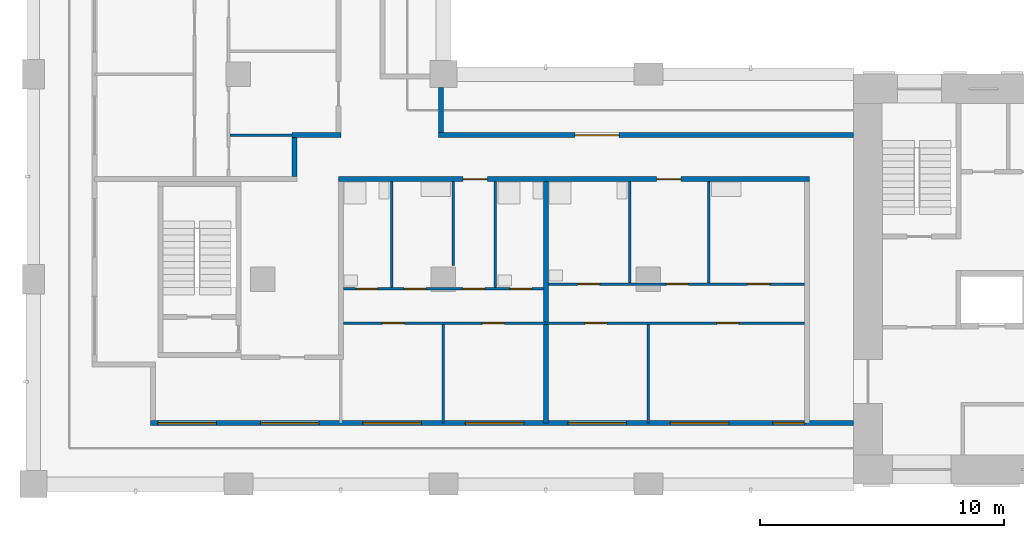
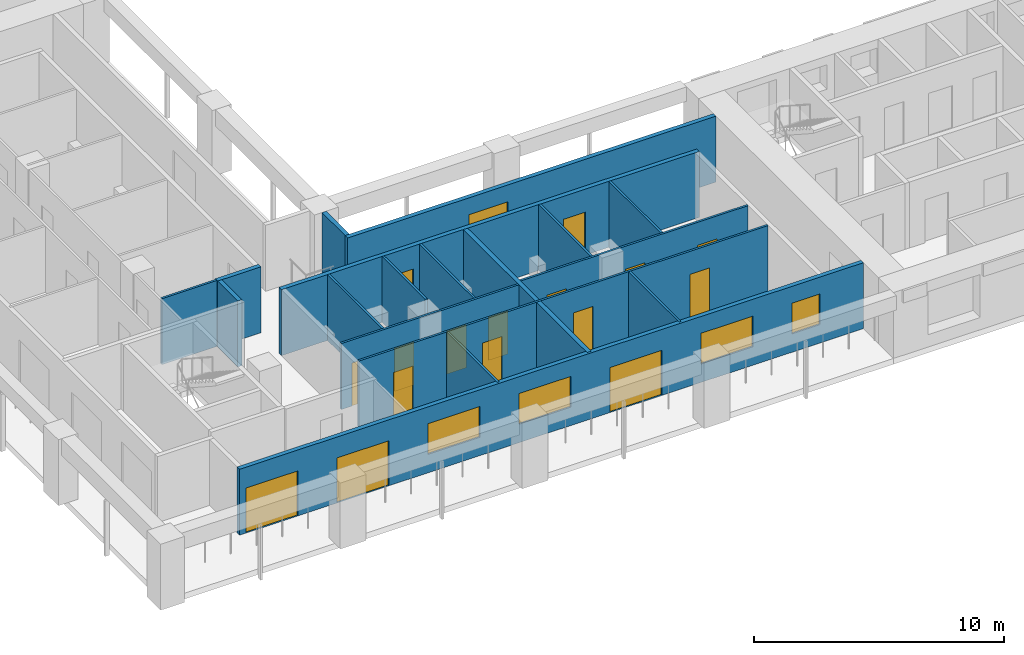
# One storey, part 2 of 10: 18 walls, 17 doors, 4 windows, 21 openings.
"""IFC4 building model written with IfcOpenShell, lengths in metres."""

from ifc_helpers import new_model, si_unit, direction, frame, frame_2d, origin, place, context, subcontext, project, spatial, rectangle, extrude, material, layer, layer_set, type_object, element, fill, save


model = new_model("IFC4")

# Units and contexts
model_context = context("Model", 3, precision=1e-05, world=origin(), true_north=direction((0.0, 1.0)))
body_context = subcontext(model_context, "Body", "Model", "MODEL_VIEW")
ifc_project = project(units=[si_unit("LENGTHUNIT", "METRE"), si_unit("AREAUNIT", "SQUARE_METRE"), si_unit("VOLUMEUNIT", "CUBIC_METRE"), si_unit("PLANEANGLEUNIT", "RADIAN"), si_unit("MASSUNIT", "GRAM", prefix="KILO")], contexts=[model_context])

# Site, building, storey
site_placement = place(None, origin())
site = spatial("IfcSite", under=ifc_project, at=site_placement, CompositionType="ELEMENT")
building_placement = place(site_placement, origin())
building = spatial("IfcBuilding", under=site, at=building_placement, Name="Vermilion Gate Residences", CompositionType="ELEMENT")
storey_placement = place(building_placement, frame((0.0, 0.0, 172.199951171875)))
storey = spatial("IfcBuildingStorey", under=building, at=storey_placement, Name="L44", CompositionType="ELEMENT", Elevation=172.199951171875)

# Wall, openings, doors, windows
ifc_material_1 = material(Name="Insulated steel stud wall with terracotta rainscreen", Category="masonry")
ifc_layer_1 = layer(ifc_material_1, 0.199951171875)
ifc_layer_set_1 = layer_set([ifc_layer_1], Name="EXTERNAL WALL 200 TERRACOTTA RAINSCREEN")
wall_type_1 = type_object("IfcWallType", Name="EXTERNAL WALL 200 TERRACOTTA RAINSCREEN", PredefinedType="SOLIDWALL", material=ifc_layer_set_1)
wall_1_placement = place(storey_placement, frame((13.199951171875, 10.89990234375, 0.0), z_axis=(0.0, 0.0, 1.0), x_axis=(1.0, 0.0, 0.0)))
wall_1 = element("IfcWall", 1, at=wall_1_placement, inside=storey, type_object=wall_type_1, Name="External wall", PredefinedType="SOLIDWALL", context=body_context, shape_type="SweptSolid", body=[
    extrude(rectangle(XDim=28.800048828125, YDim=0.199951171875, at=frame_2d((14.39990234375, 0.0))), origin(), (0.0, 0.0, 1.0), 3.219970703125),
])
opening_1_placement = place(wall_1_placement, frame((0.300048828125, 0.0, 0.0)))
opening_1 = element("IfcOpeningElement", 2, at=opening_1_placement, cuts=wall_1, Name="Opening DE44008", PredefinedType="OPENING", context=body_context, shape_type="SweptSolid", body=[
    extrude(rectangle(XDim=2.39990234375, YDim=2.199951171875, at=frame_2d((1.199951171875, 1.10009765625))), frame((0.0, 0.10986328125, 0.0), z_axis=(0.0, -1.0, 0.0), x_axis=(1.0, 0.0, 0.0)), (0.0, 0.0, 1.0), 0.219970703125),
])
opening_2_placement = place(wall_1_placement, frame((4.5, 0.0, 0.0)))
opening_2 = element("IfcOpeningElement", 3, at=opening_2_placement, cuts=wall_1, Name="Opening DE44009", PredefinedType="OPENING", context=body_context, shape_type="SweptSolid", body=[
    extrude(rectangle(XDim=2.39990234375, YDim=2.199951171875, at=frame_2d((1.199951171875, 1.10009765625))), frame((0.0, 0.10986328125, 0.0), z_axis=(0.0, -1.0, 0.0), x_axis=(1.0, 0.0, 0.0)), (0.0, 0.0, 1.0), 0.219970703125),
])
opening_3_placement = place(wall_1_placement, frame((8.699951171875, 0.0, 0.89990234375)))
opening_3 = element("IfcOpeningElement", 4, at=opening_3_placement, cuts=wall_1, Name="Opening WE44010", PredefinedType="OPENING", context=body_context, shape_type="SweptSolid", body=[
    extrude(rectangle(XDim=2.39990234375, YDim=1.5, at=frame_2d((1.199951171875, 0.75))), frame((0.0, 0.10986328125, 0.0), z_axis=(0.0, -1.0, 0.0), x_axis=(1.0, 0.0, 0.0)), (0.0, 0.0, 1.0), 0.219970703125),
])
opening_4_placement = place(wall_1_placement, frame((12.89990234375, 0.0, 0.89990234375)))
opening_4 = element("IfcOpeningElement", 5, at=opening_4_placement, cuts=wall_1, Name="Opening WE44011", PredefinedType="OPENING", context=body_context, shape_type="SweptSolid", body=[
    extrude(rectangle(XDim=2.39990234375, YDim=1.5, at=frame_2d((1.199951171875, 0.75))), frame((0.0, 0.10986328125, 0.0), z_axis=(0.0, -1.0, 0.0), x_axis=(1.0, 0.0, 0.0)), (0.0, 0.0, 1.0), 0.219970703125),
])
opening_5_placement = place(wall_1_placement, frame((17.10009765625, 0.0, 0.0)))
opening_5 = element("IfcOpeningElement", 6, at=opening_5_placement, cuts=wall_1, Name="Opening DE44012", PredefinedType="OPENING", context=body_context, shape_type="SweptSolid", body=[
    extrude(rectangle(XDim=2.39990234375, YDim=2.199951171875, at=frame_2d((1.199951171875, 1.10009765625))), frame((0.0, 0.10986328125, 0.0), z_axis=(0.0, -1.0, 0.0), x_axis=(1.0, 0.0, 0.0)), (0.0, 0.0, 1.0), 0.219970703125),
])
opening_6_placement = place(wall_1_placement, frame((21.300048828125, 0.0, 0.89990234375)))
opening_6 = element("IfcOpeningElement", 7, at=opening_6_placement, cuts=wall_1, Name="Opening WE44013", PredefinedType="OPENING", context=body_context, shape_type="SweptSolid", body=[
    extrude(rectangle(XDim=2.39990234375, YDim=1.5, at=frame_2d((1.199951171875, 0.75))), frame((0.0, 0.10986328125, 0.0), z_axis=(0.0, -1.0, 0.0), x_axis=(1.0, 0.0, 0.0)), (0.0, 0.0, 1.0), 0.219970703125),
])
opening_7_placement = place(wall_1_placement, frame((25.5, 0.0, 0.89990234375)))
opening_7 = element("IfcOpeningElement", 8, at=opening_7_placement, cuts=wall_1, Name="Opening WE44014", PredefinedType="OPENING", context=body_context, shape_type="SweptSolid", body=[
    extrude(rectangle(XDim=1.300048828125, YDim=1.5, at=frame_2d((0.64990234375, 0.75))), frame((0.0, 0.10986328125, 0.0), z_axis=(0.0, -1.0, 0.0), x_axis=(1.0, 0.0, 0.0)), (0.0, 0.0, 1.0), 0.219970703125),
])
ifc_material_2 = material(Name="Aluminium and clear glass", Category="aluminium")
door_type_1 = type_object("IfcDoorType", Name="SLIDING GLAZED DOOR 2400 X 2200", OperationType="DOUBLE_DOOR_SLIDING", PredefinedType="DOOR", material=ifc_material_2)
door_1_placement = place(opening_1_placement, origin())
door_1 = element("IfcDoor", 9, at=door_1_placement, inside=storey, type_object=door_type_1, Name="Loggia sliding door", OperationType="DOUBLE_DOOR_SLIDING", OverallHeight=2.199951171875, OverallWidth=2.39990234375, PredefinedType="DOOR", context=body_context, shape_type="SweptSolid", body=[
    extrude(rectangle(XDim=2.39990234375, YDim=2.199951171875, at=frame_2d((1.199951171875, 1.10009765625))), frame((0.0, 0.02490234375, 0.0), z_axis=(0.0, -1.0, 0.0), x_axis=(1.0, 0.0, 0.0)), (0.0, 0.0, 1.0), 0.050048828125),
])
fill(opening_1, door_1)
door_2_placement = place(opening_2_placement, origin())
door_2 = element("IfcDoor", 10, at=door_2_placement, inside=storey, type_object=door_type_1, Name="Loggia sliding door", OperationType="DOUBLE_DOOR_SLIDING", OverallHeight=2.199951171875, OverallWidth=2.39990234375, PredefinedType="DOOR", context=body_context, shape_type="SweptSolid", body=[
    extrude(rectangle(XDim=2.39990234375, YDim=2.199951171875, at=frame_2d((1.199951171875, 1.10009765625))), frame((0.0, 0.02490234375, 0.0), z_axis=(0.0, -1.0, 0.0), x_axis=(1.0, 0.0, 0.0)), (0.0, 0.0, 1.0), 0.050048828125),
])
fill(opening_2, door_2)
door_3_placement = place(opening_5_placement, origin())
door_3 = element("IfcDoor", 11, at=door_3_placement, inside=storey, type_object=door_type_1, Name="Loggia sliding door", OperationType="DOUBLE_DOOR_SLIDING", OverallHeight=2.199951171875, OverallWidth=2.39990234375, PredefinedType="DOOR", context=body_context, shape_type="SweptSolid", body=[
    extrude(rectangle(XDim=2.39990234375, YDim=2.199951171875, at=frame_2d((1.199951171875, 1.10009765625))), frame((0.0, 0.02490234375, 0.0), z_axis=(0.0, -1.0, 0.0), x_axis=(1.0, 0.0, 0.0)), (0.0, 0.0, 1.0), 0.050048828125),
])
fill(opening_5, door_3)
ifc_material_3 = material(Name="Aluminium and clear glass", Category="aluminium")
window_type_1 = type_object("IfcWindowType", Name="WINDOW 1300 X 1500", PartitioningType="SINGLE_PANEL", PredefinedType="WINDOW", material=ifc_material_3)
window_1_placement = place(opening_7_placement, origin())
window_1 = element("IfcWindow", 12, at=window_1_placement, inside=storey, type_object=window_type_1, Name="Window", OverallHeight=1.5, OverallWidth=1.300048828125, PartitioningType="SINGLE_PANEL", PredefinedType="WINDOW", context=body_context, shape_type="SweptSolid", body=[
    extrude(rectangle(XDim=1.300048828125, YDim=1.5, at=frame_2d((0.64990234375, 0.75))), frame((0.0, 0.030029296875, 0.0), z_axis=(0.0, -1.0, 0.0), x_axis=(1.0, 0.0, 0.0)), (0.0, 0.0, 1.0), 0.06005859375),
])
fill(opening_7, window_1)
ifc_material_4 = material(Name="Aluminium and clear glass", Category="aluminium")
window_type_2 = type_object("IfcWindowType", Name="WINDOW 2400 X 1500", PartitioningType="SINGLE_PANEL", PredefinedType="WINDOW", material=ifc_material_4)
window_2_placement = place(opening_3_placement, origin())
window_2 = element("IfcWindow", 13, at=window_2_placement, inside=storey, type_object=window_type_2, Name="Window", OverallHeight=1.5, OverallWidth=2.39990234375, PartitioningType="SINGLE_PANEL", PredefinedType="WINDOW", context=body_context, shape_type="SweptSolid", body=[
    extrude(rectangle(XDim=2.39990234375, YDim=1.5, at=frame_2d((1.199951171875, 0.75))), frame((0.0, 0.030029296875, 0.0), z_axis=(0.0, -1.0, 0.0), x_axis=(1.0, 0.0, 0.0)), (0.0, 0.0, 1.0), 0.06005859375),
])
fill(opening_3, window_2)
window_3_placement = place(opening_4_placement, origin())
window_3 = element("IfcWindow", 14, at=window_3_placement, inside=storey, type_object=window_type_2, Name="Window", OverallHeight=1.5, OverallWidth=2.39990234375, PartitioningType="SINGLE_PANEL", PredefinedType="WINDOW", context=body_context, shape_type="SweptSolid", body=[
    extrude(rectangle(XDim=2.39990234375, YDim=1.5, at=frame_2d((1.199951171875, 0.75))), frame((0.0, 0.030029296875, 0.0), z_axis=(0.0, -1.0, 0.0), x_axis=(1.0, 0.0, 0.0)), (0.0, 0.0, 1.0), 0.06005859375),
])
fill(opening_4, window_3)
window_4_placement = place(opening_6_placement, origin())
window_4 = element("IfcWindow", 15, at=window_4_placement, inside=storey, type_object=window_type_2, Name="Window", OverallHeight=1.5, OverallWidth=2.39990234375, PartitioningType="SINGLE_PANEL", PredefinedType="WINDOW", context=body_context, shape_type="SweptSolid", body=[
    extrude(rectangle(XDim=2.39990234375, YDim=1.5, at=frame_2d((1.199951171875, 0.75))), frame((0.0, 0.030029296875, 0.0), z_axis=(0.0, -1.0, 0.0), x_axis=(1.0, 0.0, 0.0)), (0.0, 0.0, 1.0), 0.06005859375),
])
fill(opening_6, window_4)

# Wall, opening, door
wall_2_placement = place(storey_placement, frame((42.0, 22.699951171875, 0.0), z_axis=(0.0, 0.0, 1.0), x_axis=(-1.0, 0.0, 0.0)))
wall_2 = element("IfcWall", 16, at=wall_2_placement, inside=storey, type_object=wall_type_1, Name="External wall", PredefinedType="SOLIDWALL", context=body_context, shape_type="SweptSolid", body=[
    extrude(rectangle(XDim=17.0, YDim=0.199951171875, at=frame_2d((8.5, 0.0))), origin(), (0.0, 0.0, 1.0), 3.219970703125),
])
opening_8_placement = place(wall_2_placement, frame((9.60009765625, 0.0, 0.0)))
opening_8 = element("IfcOpeningElement", 17, at=opening_8_placement, cuts=wall_2, Name="Opening DE44020", PredefinedType="OPENING", context=body_context, shape_type="SweptSolid", body=[
    extrude(rectangle(XDim=1.800048828125, YDim=2.39990234375, at=frame_2d((0.89990234375, 1.199951171875))), frame((0.0, 0.10986328125, 0.0), z_axis=(0.0, -1.0, 0.0), x_axis=(1.0, 0.0, 0.0)), (0.0, 0.0, 1.0), 0.219970703125),
])
ifc_material_5 = material(Name="Aluminium and clear glass", Category="aluminium")
door_type_2 = type_object("IfcDoorType", Name="GLAZED EXTERNAL DOOR 1800 X 2400", OperationType="DOUBLE_DOOR_SINGLE_SWING", PredefinedType="DOOR", material=ifc_material_5)
door_4_placement = place(opening_8_placement, frame((1.800048828125, 0.0, 0.0), z_axis=(0.0, 0.0, 1.0), x_axis=(-1.0, 0.0, 0.0)))
door_4 = element("IfcDoor", 18, at=door_4_placement, inside=storey, type_object=door_type_2, Name="Gallery door", OperationType="DOUBLE_DOOR_SINGLE_SWING", OverallHeight=2.39990234375, OverallWidth=1.800048828125, PredefinedType="DOOR", context=body_context, shape_type="SweptSolid", body=[
    extrude(rectangle(XDim=1.800048828125, YDim=2.39990234375, at=frame_2d((0.89990234375, 1.199951171875))), frame((0.0, 0.02490234375, 0.0), z_axis=(0.0, -1.0, 0.0), x_axis=(1.0, 0.0, 0.0)), (0.0, 0.0, 1.0), 0.050048828125),
])
fill(opening_8, door_4)

# Wall
wall_3_placement = place(storey_placement, frame((25.10009765625, 22.800048828125, 0.0), z_axis=(0.0, 0.0, 1.0), x_axis=(0.0, 1.0, 0.0)))
element("IfcWall", 19, at=wall_3_placement, inside=storey, type_object=wall_type_1, Name="External wall", PredefinedType="SOLIDWALL", context=body_context, shape_type="SweptSolid", body=[
    extrude(rectangle(XDim=1.849853515625, YDim=0.199951171875, at=frame_2d((0.9248046875, 0.0))), origin(), (0.0, 0.0, 1.0), 3.219970703125),
])

# Wall, openings, doors
ifc_material_6 = material(Name="Plasterboard on steel studs", Category="steel")
ifc_layer_2 = layer(ifc_material_6, 0.10009765625)
ifc_layer_set_2 = layer_set([ifc_layer_2], Name="PARTITION 100")
wall_type_2 = type_object("IfcWallType", Name="PARTITION 100", PredefinedType="PARTITIONING", material=ifc_layer_set_2)
wall_4_placement = place(storey_placement, frame((21.10009765625, 15.0, 0.0), z_axis=(0.0, 0.0, 1.0), x_axis=(1.0, 0.0, 0.0)))
wall_4 = element("IfcWall", 20, at=wall_4_placement, inside=storey, type_object=wall_type_2, Name="Partition", PredefinedType="PARTITIONING", context=body_context, shape_type="SweptSolid", body=[
    extrude(rectangle(XDim=18.89990234375, YDim=0.10009765625, at=frame_2d((9.449951171875, 0.0))), origin(), (0.0, 0.0, 1.0), 3.219970703125),
])
opening_9_placement = place(wall_4_placement, frame((1.60009765625, 0.0, 0.0)))
opening_9 = element("IfcOpeningElement", 21, at=opening_9_placement, cuts=wall_4, Name="Opening DA43002", PredefinedType="OPENING", context=body_context, shape_type="SweptSolid", body=[
    extrude(rectangle(XDim=0.89990234375, YDim=2.10009765625, at=frame_2d((0.449951171875, 1.050048828125))), frame((0.0, 0.06005859375, 0.0), z_axis=(0.0, -1.0, 0.0), x_axis=(1.0, 0.0, 0.0)), (0.0, 0.0, 1.0), 0.1201171875),
])
opening_10_placement = place(wall_4_placement, frame((5.699951171875, 0.0, 0.0)))
opening_10 = element("IfcOpeningElement", 22, at=opening_10_placement, cuts=wall_4, Name="Opening DA43003", PredefinedType="OPENING", context=body_context, shape_type="SweptSolid", body=[
    extrude(rectangle(XDim=0.89990234375, YDim=2.10009765625, at=frame_2d((0.449951171875, 1.050048828125))), frame((0.0, 0.06005859375, 0.0), z_axis=(0.0, -1.0, 0.0), x_axis=(1.0, 0.0, 0.0)), (0.0, 0.0, 1.0), 0.1201171875),
])
opening_11_placement = place(wall_4_placement, frame((9.89990234375, 0.0, 0.0)))
opening_11 = element("IfcOpeningElement", 23, at=opening_11_placement, cuts=wall_4, Name="Opening DA43004", PredefinedType="OPENING", context=body_context, shape_type="SweptSolid", body=[
    extrude(rectangle(XDim=0.89990234375, YDim=2.10009765625, at=frame_2d((0.449951171875, 1.050048828125))), frame((0.0, 0.06005859375, 0.0), z_axis=(0.0, -1.0, 0.0), x_axis=(1.0, 0.0, 0.0)), (0.0, 0.0, 1.0), 0.1201171875),
])
opening_12_placement = place(wall_4_placement, frame((15.300048828125, 0.0, 0.0)))
opening_12 = element("IfcOpeningElement", 24, at=opening_12_placement, cuts=wall_4, Name="Opening DA43005", PredefinedType="OPENING", context=body_context, shape_type="SweptSolid", body=[
    extrude(rectangle(XDim=0.89990234375, YDim=2.10009765625, at=frame_2d((0.449951171875, 1.050048828125))), frame((0.0, 0.06005859375, 0.0), z_axis=(0.0, -1.0, 0.0), x_axis=(1.0, 0.0, 0.0)), (0.0, 0.0, 1.0), 0.1201171875),
])
ifc_material_7 = material(Name="Timber", Category="wood")
door_type_3 = type_object("IfcDoorType", Name="INTERIOR DOOR 900 X 2100", OperationType="SINGLE_SWING_LEFT", PredefinedType="DOOR", material=ifc_material_7)
door_5_placement = place(opening_9_placement, frame((0.89990234375, 0.0, 0.0), z_axis=(0.0, 0.0, 1.0), x_axis=(-1.0, 0.0, 0.0)))
door_5 = element("IfcDoor", 25, at=door_5_placement, inside=storey, type_object=door_type_3, Name="Interior door", OperationType="SINGLE_SWING_LEFT", OverallHeight=2.10009765625, OverallWidth=0.89990234375, PredefinedType="DOOR", context=body_context, shape_type="SweptSolid", body=[
    extrude(rectangle(XDim=0.89990234375, YDim=2.10009765625, at=frame_2d((0.449951171875, 1.050048828125))), frame((0.0, 0.02490234375, 0.0), z_axis=(0.0, -1.0, 0.0), x_axis=(1.0, 0.0, 0.0)), (0.0, 0.0, 1.0), 0.050048828125),
])
fill(opening_9, door_5)
door_6_placement = place(opening_10_placement, frame((0.89990234375, 0.0, 0.0), z_axis=(0.0, 0.0, 1.0), x_axis=(-1.0, 0.0, 0.0)))
door_6 = element("IfcDoor", 26, at=door_6_placement, inside=storey, type_object=door_type_3, Name="Interior door", OperationType="SINGLE_SWING_RIGHT", OverallHeight=2.10009765625, OverallWidth=0.89990234375, PredefinedType="DOOR", context=body_context, shape_type="SweptSolid", body=[
    extrude(rectangle(XDim=0.89990234375, YDim=2.10009765625, at=frame_2d((0.449951171875, 1.050048828125))), frame((0.0, 0.02490234375, 0.0), z_axis=(0.0, -1.0, 0.0), x_axis=(1.0, 0.0, 0.0)), (0.0, 0.0, 1.0), 0.050048828125),
])
fill(opening_10, door_6)
door_7_placement = place(opening_11_placement, frame((0.89990234375, 0.0, 0.0), z_axis=(0.0, 0.0, 1.0), x_axis=(-1.0, 0.0, 0.0)))
door_7 = element("IfcDoor", 27, at=door_7_placement, inside=storey, type_object=door_type_3, Name="Interior door", OperationType="SINGLE_SWING_RIGHT", OverallHeight=2.10009765625, OverallWidth=0.89990234375, PredefinedType="DOOR", context=body_context, shape_type="SweptSolid", body=[
    extrude(rectangle(XDim=0.89990234375, YDim=2.10009765625, at=frame_2d((0.449951171875, 1.050048828125))), frame((0.0, 0.02490234375, 0.0), z_axis=(0.0, -1.0, 0.0), x_axis=(1.0, 0.0, 0.0)), (0.0, 0.0, 1.0), 0.050048828125),
])
fill(opening_11, door_7)
door_8_placement = place(opening_12_placement, frame((0.89990234375, 0.0, 0.0), z_axis=(0.0, 0.0, 1.0), x_axis=(-1.0, 0.0, 0.0)))
door_8 = element("IfcDoor", 28, at=door_8_placement, inside=storey, type_object=door_type_3, Name="Interior door", OperationType="SINGLE_SWING_LEFT", OverallHeight=2.10009765625, OverallWidth=0.89990234375, PredefinedType="DOOR", context=body_context, shape_type="SweptSolid", body=[
    extrude(rectangle(XDim=0.89990234375, YDim=2.10009765625, at=frame_2d((0.449951171875, 1.050048828125))), frame((0.0, 0.02490234375, 0.0), z_axis=(0.0, -1.0, 0.0), x_axis=(1.0, 0.0, 0.0)), (0.0, 0.0, 1.0), 0.050048828125),
])
fill(opening_12, door_8)

wall_5_placement = place(storey_placement, frame((21.10009765625, 16.39990234375, 0.0), z_axis=(0.0, 0.0, 1.0), x_axis=(1.0, 0.0, 0.0)))
wall_5 = element("IfcWall", 29, at=wall_5_placement, inside=storey, type_object=wall_type_2, Name="Partition", PredefinedType="PARTITIONING", context=body_context, shape_type="SweptSolid", body=[
    extrude(rectangle(XDim=8.199951171875, YDim=0.10009765625, at=frame_2d((4.10009765625, 0.0))), origin(), (0.0, 0.0, 1.0), 3.219970703125),
])
opening_13_placement = place(wall_5_placement, frame((4.89990234375, 0.0, 0.0)))
opening_13 = element("IfcOpeningElement", 30, at=opening_13_placement, cuts=wall_5, Name="Opening DA43006", PredefinedType="OPENING", context=body_context, shape_type="SweptSolid", body=[
    extrude(rectangle(XDim=0.89990234375, YDim=2.10009765625, at=frame_2d((0.449951171875, 1.050048828125))), frame((0.0, 0.06005859375, 0.0), z_axis=(0.0, -1.0, 0.0), x_axis=(1.0, 0.0, 0.0)), (0.0, 0.0, 1.0), 0.1201171875),
])
opening_14_placement = place(wall_5_placement, frame((0.5, 0.0, 0.0)))
opening_14 = element("IfcOpeningElement", 31, at=opening_14_placement, cuts=wall_5, Name="Opening DA43007", PredefinedType="OPENING", context=body_context, shape_type="SweptSolid", body=[
    extrude(rectangle(XDim=0.89990234375, YDim=2.10009765625, at=frame_2d((0.449951171875, 1.050048828125))), frame((0.0, 0.06005859375, 0.0), z_axis=(0.0, -1.0, 0.0), x_axis=(1.0, 0.0, 0.0)), (0.0, 0.0, 1.0), 0.1201171875),
])
opening_15_placement = place(wall_5_placement, frame((2.47998046875, 0.0, 0.0)))
opening_15 = element("IfcOpeningElement", 32, at=opening_15_placement, cuts=wall_5, Name="Opening DA43008", PredefinedType="OPENING", context=body_context, shape_type="SweptSolid", body=[
    extrude(rectangle(XDim=0.89990234375, YDim=2.10009765625, at=frame_2d((0.449951171875, 1.050048828125))), frame((0.0, 0.06005859375, 0.0), z_axis=(0.0, -1.0, 0.0), x_axis=(1.0, 0.0, 0.0)), (0.0, 0.0, 1.0), 0.1201171875),
])
opening_16_placement = place(wall_5_placement, frame((6.820068359375, 0.0, 0.0)))
opening_16 = element("IfcOpeningElement", 33, at=opening_16_placement, cuts=wall_5, Name="Opening DA43009", PredefinedType="OPENING", context=body_context, shape_type="SweptSolid", body=[
    extrude(rectangle(XDim=0.89990234375, YDim=2.10009765625, at=frame_2d((0.449951171875, 1.050048828125))), frame((0.0, 0.06005859375, 0.0), z_axis=(0.0, -1.0, 0.0), x_axis=(1.0, 0.0, 0.0)), (0.0, 0.0, 1.0), 0.1201171875),
])
door_9_placement = place(opening_13_placement, origin())
door_9 = element("IfcDoor", 34, at=door_9_placement, inside=storey, type_object=door_type_3, Name="Interior door", OperationType="SINGLE_SWING_LEFT", OverallHeight=2.10009765625, OverallWidth=0.89990234375, PredefinedType="DOOR", context=body_context, shape_type="SweptSolid", body=[
    extrude(rectangle(XDim=0.89990234375, YDim=2.10009765625, at=frame_2d((0.449951171875, 1.050048828125))), frame((0.0, 0.02490234375, 0.0), z_axis=(0.0, -1.0, 0.0), x_axis=(1.0, 0.0, 0.0)), (0.0, 0.0, 1.0), 0.050048828125),
])
fill(opening_13, door_9)
door_10_placement = place(opening_14_placement, origin())
door_10 = element("IfcDoor", 35, at=door_10_placement, inside=storey, type_object=door_type_3, Name="Interior door", OperationType="SINGLE_SWING_RIGHT", OverallHeight=2.10009765625, OverallWidth=0.89990234375, PredefinedType="DOOR", context=body_context, shape_type="SweptSolid", body=[
    extrude(rectangle(XDim=0.89990234375, YDim=2.10009765625, at=frame_2d((0.449951171875, 1.050048828125))), frame((0.0, 0.02490234375, 0.0), z_axis=(0.0, -1.0, 0.0), x_axis=(1.0, 0.0, 0.0)), (0.0, 0.0, 1.0), 0.050048828125),
])
fill(opening_14, door_10)
door_11_placement = place(opening_15_placement, origin())
door_11 = element("IfcDoor", 36, at=door_11_placement, inside=storey, type_object=door_type_3, Name="Interior door", OperationType="SINGLE_SWING_RIGHT", OverallHeight=2.10009765625, OverallWidth=0.89990234375, PredefinedType="DOOR", context=body_context, shape_type="SweptSolid", body=[
    extrude(rectangle(XDim=0.89990234375, YDim=2.10009765625, at=frame_2d((0.449951171875, 1.050048828125))), frame((0.0, 0.02490234375, 0.0), z_axis=(0.0, -1.0, 0.0), x_axis=(1.0, 0.0, 0.0)), (0.0, 0.0, 1.0), 0.050048828125),
])
fill(opening_15, door_11)
door_12_placement = place(opening_16_placement, origin())
door_12 = element("IfcDoor", 37, at=door_12_placement, inside=storey, type_object=door_type_3, Name="Interior door", OperationType="SINGLE_SWING_RIGHT", OverallHeight=2.10009765625, OverallWidth=0.89990234375, PredefinedType="DOOR", context=body_context, shape_type="SweptSolid", body=[
    extrude(rectangle(XDim=0.89990234375, YDim=2.10009765625, at=frame_2d((0.449951171875, 1.050048828125))), frame((0.0, 0.02490234375, 0.0), z_axis=(0.0, -1.0, 0.0), x_axis=(1.0, 0.0, 0.0)), (0.0, 0.0, 1.0), 0.050048828125),
])
fill(opening_16, door_12)

wall_6_placement = place(storey_placement, frame((29.5, 16.60009765625, 0.0), z_axis=(0.0, 0.0, 1.0), x_axis=(1.0, 0.0, 0.0)))
wall_6 = element("IfcWall", 38, at=wall_6_placement, inside=storey, type_object=wall_type_2, Name="Partition", PredefinedType="PARTITIONING", context=body_context, shape_type="SweptSolid", body=[
    extrude(rectangle(XDim=10.5, YDim=0.10009765625, at=frame_2d((5.25, 0.0))), origin(), (0.0, 0.0, 1.0), 3.219970703125),
])
opening_17_placement = place(wall_6_placement, frame((4.8330078125, 0.0, 0.0)))
opening_17 = element("IfcOpeningElement", 39, at=opening_17_placement, cuts=wall_6, Name="Opening DA43010", PredefinedType="OPENING", context=body_context, shape_type="SweptSolid", body=[
    extrude(rectangle(XDim=0.89990234375, YDim=2.10009765625, at=frame_2d((0.449951171875, 1.050048828125))), frame((0.0, 0.06005859375, 0.0), z_axis=(0.0, -1.0, 0.0), x_axis=(1.0, 0.0, 0.0)), (0.0, 0.0, 1.0), 0.1201171875),
])
opening_18_placement = place(wall_6_placement, frame((1.199951171875, 0.0, 0.0)))
opening_18 = element("IfcOpeningElement", 40, at=opening_18_placement, cuts=wall_6, Name="Opening DA43011", PredefinedType="OPENING", context=body_context, shape_type="SweptSolid", body=[
    extrude(rectangle(XDim=0.89990234375, YDim=2.10009765625, at=frame_2d((0.449951171875, 1.050048828125))), frame((0.0, 0.06005859375, 0.0), z_axis=(0.0, -1.0, 0.0), x_axis=(1.0, 0.0, 0.0)), (0.0, 0.0, 1.0), 0.1201171875),
])
opening_19_placement = place(wall_6_placement, frame((8.1669921875, 0.0, 0.0)))
opening_19 = element("IfcOpeningElement", 41, at=opening_19_placement, cuts=wall_6, Name="Opening DA43012", PredefinedType="OPENING", context=body_context, shape_type="SweptSolid", body=[
    extrude(rectangle(XDim=0.89990234375, YDim=2.10009765625, at=frame_2d((0.449951171875, 1.050048828125))), frame((0.0, 0.06005859375, 0.0), z_axis=(0.0, -1.0, 0.0), x_axis=(1.0, 0.0, 0.0)), (0.0, 0.0, 1.0), 0.1201171875),
])
door_13_placement = place(opening_17_placement, origin())
door_13 = element("IfcDoor", 42, at=door_13_placement, inside=storey, type_object=door_type_3, Name="Interior door", OperationType="SINGLE_SWING_LEFT", OverallHeight=2.10009765625, OverallWidth=0.89990234375, PredefinedType="DOOR", context=body_context, shape_type="SweptSolid", body=[
    extrude(rectangle(XDim=0.89990234375, YDim=2.10009765625, at=frame_2d((0.449951171875, 1.050048828125))), frame((0.0, 0.02490234375, 0.0), z_axis=(0.0, -1.0, 0.0), x_axis=(1.0, 0.0, 0.0)), (0.0, 0.0, 1.0), 0.050048828125),
])
fill(opening_17, door_13)
door_14_placement = place(opening_18_placement, origin())
door_14 = element("IfcDoor", 43, at=door_14_placement, inside=storey, type_object=door_type_3, Name="Interior door", OperationType="SINGLE_SWING_LEFT", OverallHeight=2.10009765625, OverallWidth=0.89990234375, PredefinedType="DOOR", context=body_context, shape_type="SweptSolid", body=[
    extrude(rectangle(XDim=0.89990234375, YDim=2.10009765625, at=frame_2d((0.449951171875, 1.050048828125))), frame((0.0, 0.02490234375, 0.0), z_axis=(0.0, -1.0, 0.0), x_axis=(1.0, 0.0, 0.0)), (0.0, 0.0, 1.0), 0.050048828125),
])
fill(opening_18, door_14)
door_15_placement = place(opening_19_placement, origin())
door_15 = element("IfcDoor", 44, at=door_15_placement, inside=storey, type_object=door_type_3, Name="Interior door", OperationType="SINGLE_SWING_RIGHT", OverallHeight=2.10009765625, OverallWidth=0.89990234375, PredefinedType="DOOR", context=body_context, shape_type="SweptSolid", body=[
    extrude(rectangle(XDim=0.89990234375, YDim=2.10009765625, at=frame_2d((0.449951171875, 1.050048828125))), frame((0.0, 0.02490234375, 0.0), z_axis=(0.0, -1.0, 0.0), x_axis=(1.0, 0.0, 0.0)), (0.0, 0.0, 1.0), 0.050048828125),
])
fill(opening_19, door_15)

# Walls
wall_7_placement = place(storey_placement, frame((16.449951171875, 22.699951171875, 0.0), z_axis=(0.0, 0.0, 1.0), x_axis=(1.0, 0.0, 0.0)))
element("IfcWall", 45, at=wall_7_placement, inside=storey, type_object=wall_type_2, Name="Partition", PredefinedType="PARTITIONING", context=body_context, shape_type="SweptSolid", body=[
    extrude(rectangle(XDim=2.550048828125, YDim=0.10009765625, at=frame_2d((1.27490234375, 0.0))), origin(), (0.0, 0.0, 1.0), 3.219970703125),
])
wall_8_placement = place(storey_placement, frame((23.080078125, 16.449951171875, 0.0), z_axis=(0.0, 0.0, 1.0), x_axis=(0.0, 1.0, 0.0)))
element("IfcWall", 46, at=wall_8_placement, inside=storey, type_object=wall_type_2, Name="Partition", PredefinedType="PARTITIONING", context=body_context, shape_type="SweptSolid", body=[
    extrude(rectangle(XDim=4.35009765625, YDim=0.10009765625, at=frame_2d((2.175048828125, 0.0))), origin(), (0.0, 0.0, 1.0), 3.219970703125),
])
wall_9_placement = place(storey_placement, frame((25.199951171875, 10.89990234375, 0.0), z_axis=(0.0, 0.0, 1.0), x_axis=(0.0, 1.0, 0.0)))
element("IfcWall", 47, at=wall_9_placement, inside=storey, type_object=wall_type_2, Name="Partition", PredefinedType="PARTITIONING", context=body_context, shape_type="SweptSolid", body=[
    extrude(rectangle(XDim=4.050048828125, YDim=0.10009765625, at=frame_2d((2.02490234375, 0.0))), origin(), (0.0, 0.0, 1.0), 3.219970703125),
])
wall_10_placement = place(storey_placement, frame((25.60009765625, 17.35009765625, 0.0), z_axis=(0.0, 0.0, 1.0), x_axis=(0.0, 1.0, 0.0)))
element("IfcWall", 48, at=wall_10_placement, inside=storey, type_object=wall_type_2, Name="Partition", PredefinedType="PARTITIONING", context=body_context, shape_type="SweptSolid", body=[
    extrude(rectangle(XDim=3.449951171875, YDim=0.10009765625, at=frame_2d((1.72509765625, 0.0))), origin(), (0.0, 0.0, 1.0), 3.219970703125),
])
wall_11_placement = place(storey_placement, frame((27.320068359375, 16.449951171875, 0.0), z_axis=(0.0, 0.0, 1.0), x_axis=(0.0, 1.0, 0.0)))
element("IfcWall", 49, at=wall_11_placement, inside=storey, type_object=wall_type_2, Name="Partition", PredefinedType="PARTITIONING", context=body_context, shape_type="SweptSolid", body=[
    extrude(rectangle(XDim=4.35009765625, YDim=0.10009765625, at=frame_2d((2.175048828125, 0.0))), origin(), (0.0, 0.0, 1.0), 3.219970703125),
])
wall_12_placement = place(storey_placement, frame((32.8330078125, 16.64990234375, 0.0), z_axis=(0.0, 0.0, 1.0), x_axis=(0.0, 1.0, 0.0)))
element("IfcWall", 50, at=wall_12_placement, inside=storey, type_object=wall_type_2, Name="Partition", PredefinedType="PARTITIONING", context=body_context, shape_type="SweptSolid", body=[
    extrude(rectangle(XDim=4.150146484375, YDim=0.10009765625, at=frame_2d((2.0751953125, 0.0))), origin(), (0.0, 0.0, 1.0), 3.219970703125),
])
wall_13_placement = place(storey_placement, frame((33.60009765625, 10.89990234375, 0.0), z_axis=(0.0, 0.0, 1.0), x_axis=(0.0, 1.0, 0.0)))
element("IfcWall", 51, at=wall_13_placement, inside=storey, type_object=wall_type_2, Name="Partition", PredefinedType="PARTITIONING", context=body_context, shape_type="SweptSolid", body=[
    extrude(rectangle(XDim=4.050048828125, YDim=0.10009765625, at=frame_2d((2.02490234375, 0.0))), origin(), (0.0, 0.0, 1.0), 3.219970703125),
])
wall_14_placement = place(storey_placement, frame((36.06689453125, 16.64990234375, 0.0), z_axis=(0.0, 0.0, 1.0), x_axis=(0.0, 1.0, 0.0)))
element("IfcWall", 52, at=wall_14_placement, inside=storey, type_object=wall_type_2, Name="Partition", PredefinedType="PARTITIONING", context=body_context, shape_type="SweptSolid", body=[
    extrude(rectangle(XDim=4.150146484375, YDim=0.10009765625, at=frame_2d((2.0751953125, 0.0))), origin(), (0.0, 0.0, 1.0), 3.219970703125),
])

# Wall, openings, doors
ifc_material_8 = material(Name="Fire-rated plasterboard on steel studs", Category="steel")
ifc_layer_3 = layer(ifc_material_8, 0.199951171875)
ifc_layer_set_3 = layer_set([ifc_layer_3], Name="PARTY WALL 200 EI 120")
wall_type_3 = type_object("IfcWallType", Name="PARTY WALL 200 EI 120", PredefinedType="PARTITIONING", material=ifc_layer_set_3)
wall_15_placement = place(storey_placement, frame((20.89990234375, 20.89990234375, 0.0), z_axis=(0.0, 0.0, 1.0), x_axis=(1.0, 0.0, 0.0)))
wall_15 = element("IfcWall", 53, at=wall_15_placement, inside=storey, type_object=wall_type_3, Name="Party and corridor wall", PredefinedType="PARTITIONING", context=body_context, shape_type="SweptSolid", body=[
    extrude(rectangle(XDim=19.300048828125, YDim=0.199951171875, at=frame_2d((9.64990234375, 0.0))), origin(), (0.0, 0.0, 1.0), 3.219970703125),
])
opening_20_placement = place(wall_15_placement, frame((5.10009765625, 0.0, 0.0)))
opening_20 = element("IfcOpeningElement", 54, at=opening_20_placement, cuts=wall_15, Name="Opening DA43013", PredefinedType="OPENING", context=body_context, shape_type="SweptSolid", body=[
    extrude(rectangle(XDim=1.0, YDim=2.10009765625, at=frame_2d((0.5, 1.050048828125))), frame((0.0, 0.10986328125, 0.0), z_axis=(0.0, -1.0, 0.0), x_axis=(1.0, 0.0, 0.0)), (0.0, 0.0, 1.0), 0.219970703125),
])
opening_21_placement = place(wall_15_placement, frame((13.032958984375, 0.0, 0.0)))
opening_21 = element("IfcOpeningElement", 55, at=opening_21_placement, cuts=wall_15, Name="Opening DA43014", PredefinedType="OPENING", context=body_context, shape_type="SweptSolid", body=[
    extrude(rectangle(XDim=1.0, YDim=2.10009765625, at=frame_2d((0.5, 1.050048828125))), frame((0.0, 0.10986328125, 0.0), z_axis=(0.0, -1.0, 0.0), x_axis=(1.0, 0.0, 0.0)), (0.0, 0.0, 1.0), 0.219970703125),
])
ifc_material_9 = material(Name="Steel", Category="steel")
door_type_4 = type_object("IfcDoorType", Name="ENTRANCE DOOR 1000 X 2100 FD30", OperationType="SINGLE_SWING_LEFT", PredefinedType="DOOR", material=ifc_material_9)
door_16_placement = place(opening_20_placement, frame((1.0, 0.0, 0.0), z_axis=(0.0, 0.0, 1.0), x_axis=(-1.0, 0.0, 0.0)))
door_16 = element("IfcDoor", 56, at=door_16_placement, inside=storey, type_object=door_type_4, Name="Entrance door", OperationType="SINGLE_SWING_LEFT", OverallHeight=2.10009765625, OverallWidth=1.0, PredefinedType="DOOR", context=body_context, shape_type="SweptSolid", body=[
    extrude(rectangle(XDim=1.0, YDim=2.10009765625, at=frame_2d((0.5, 1.050048828125))), frame((0.0, 0.02490234375, 0.0), z_axis=(0.0, -1.0, 0.0), x_axis=(1.0, 0.0, 0.0)), (0.0, 0.0, 1.0), 0.050048828125),
])
fill(opening_20, door_16)
door_17_placement = place(opening_21_placement, frame((1.0, 0.0, 0.0), z_axis=(0.0, 0.0, 1.0), x_axis=(-1.0, 0.0, 0.0)))
door_17 = element("IfcDoor", 57, at=door_17_placement, inside=storey, type_object=door_type_4, Name="Entrance door", OperationType="SINGLE_SWING_RIGHT", OverallHeight=2.10009765625, OverallWidth=1.0, PredefinedType="DOOR", context=body_context, shape_type="SweptSolid", body=[
    extrude(rectangle(XDim=1.0, YDim=2.10009765625, at=frame_2d((0.5, 1.050048828125))), frame((0.0, 0.02490234375, 0.0), z_axis=(0.0, -1.0, 0.0), x_axis=(1.0, 0.0, 0.0)), (0.0, 0.0, 1.0), 0.050048828125),
])
fill(opening_21, door_17)

# Walls
wall_16_placement = place(storey_placement, frame((19.0, 22.699951171875, 0.0), z_axis=(0.0, 0.0, 1.0), x_axis=(1.0, 0.0, 0.0)))
element("IfcWall", 58, at=wall_16_placement, inside=storey, type_object=wall_type_3, Name="Party and corridor wall", PredefinedType="PARTITIONING", context=body_context, shape_type="SweptSolid", body=[
    extrude(rectangle(XDim=2.0, YDim=0.199951171875, at=frame_2d((1.0, 0.0))), origin(), (0.0, 0.0, 1.0), 3.219970703125),
])
wall_17_placement = place(storey_placement, frame((19.10009765625, 21.0, 0.0), z_axis=(0.0, 0.0, 1.0), x_axis=(0.0, 1.0, 0.0)))
element("IfcWall", 59, at=wall_17_placement, inside=storey, type_object=wall_type_3, Name="Party and corridor wall", PredefinedType="PARTITIONING", context=body_context, shape_type="SweptSolid", body=[
    extrude(rectangle(XDim=1.60009765625, YDim=0.199951171875, at=frame_2d((0.800048828125, 0.0))), origin(), (0.0, 0.0, 1.0), 3.219970703125),
])
wall_18_placement = place(storey_placement, frame((29.39990234375, 10.89990234375, 0.0), z_axis=(0.0, 0.0, 1.0), x_axis=(0.0, 1.0, 0.0)))
element("IfcWall", 60, at=wall_18_placement, inside=storey, type_object=wall_type_3, Name="Party and corridor wall", PredefinedType="PARTITIONING", context=body_context, shape_type="SweptSolid", body=[
    extrude(rectangle(XDim=9.900146484375, YDim=0.199951171875, at=frame_2d((4.9501953125, 0.0))), origin(), (0.0, 0.0, 1.0), 3.219970703125),
])

save(model, "model.ifc")
